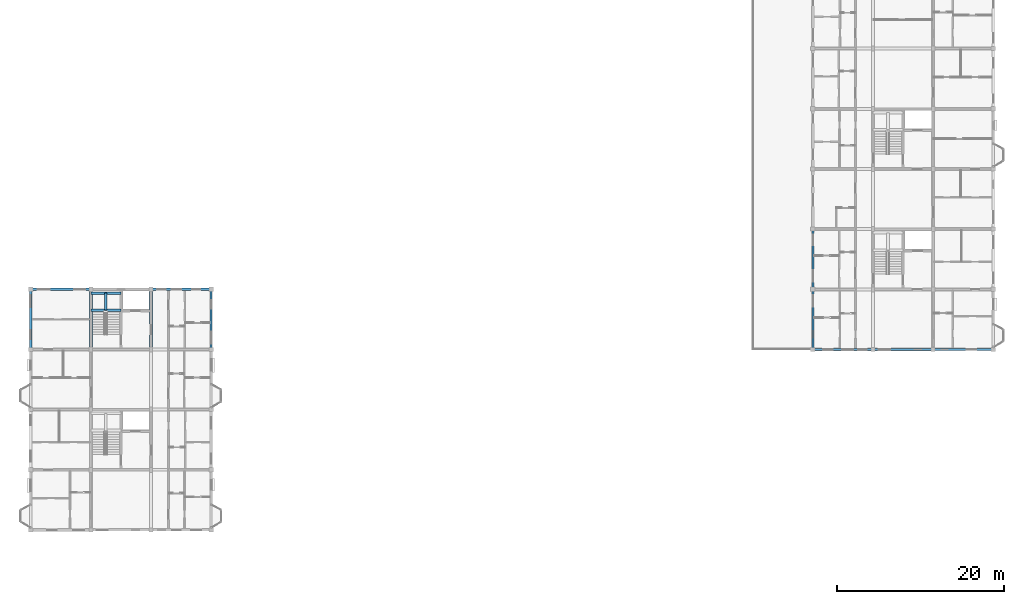
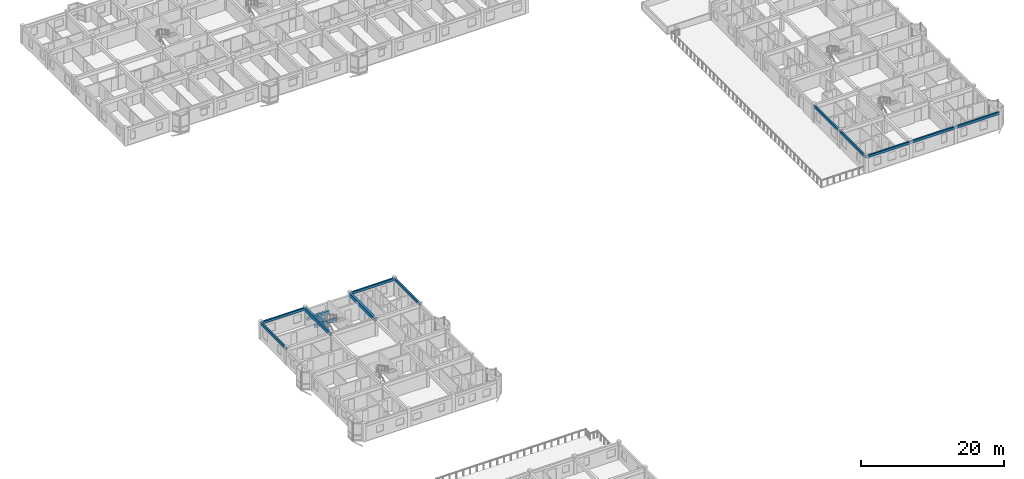
# One storey, part 21 of 70: 14 beams.
"""IFC4 building model written with IfcOpenShell, lengths in metres."""

from ifc_helpers import new_model, si_unit, direction, frame, origin, origin_2d, place, context, subcontext, project, spatial, rectangle, extrude, material, material_profile, profile_set, type_object, element, save


model = new_model("IFC4")

# Units and contexts
model_context = context("Model", 3, precision=1e-05, world=origin(), true_north=direction((0.0, 1.0)))
body_context = subcontext(model_context, "Body", "Model", "MODEL_VIEW")
ifc_project = project(units=[si_unit("LENGTHUNIT", "METRE"), si_unit("AREAUNIT", "SQUARE_METRE"), si_unit("VOLUMEUNIT", "CUBIC_METRE"), si_unit("PLANEANGLEUNIT", "RADIAN"), si_unit("MASSUNIT", "GRAM", prefix="KILO"), si_unit("THERMODYNAMICTEMPERATUREUNIT", "KELVIN"), si_unit("POWERUNIT", "WATT")], contexts=[model_context])

# Site, building, storey
site_placement = place(None, origin())
site = spatial("IfcSite", under=ifc_project, at=site_placement, CompositionType="ELEMENT")
building_placement = place(site_placement, origin())
building = spatial("IfcBuilding", under=site, at=building_placement, Name="Tavuni Mirador Residences", CompositionType="ELEMENT")
storey_placement = place(building_placement, frame((0.0, 0.0, 23.39990234375)))
storey = spatial("IfcBuildingStorey", under=building, at=storey_placement, Name="L07", CompositionType="ELEMENT", Elevation=23.39990234375)

# Beams
ifc_material = material(Name="Precast concrete C40/50", Category="concrete")
ifc_material_profile_1 = material_profile(ifc_material, rectangle(XDim=0.300048828125, YDim=0.5, at=origin_2d()), Name="PC 300x500", Category="concrete")
ifc_profile_set_1 = profile_set([ifc_material_profile_1], Name="Precast concrete C40/50")
beam_type_1 = type_object("IfcBeamType", Name="BT-B500", PredefinedType="BEAM", material=ifc_profile_set_1)
for number, where, z_axis, x_axis, name in (
    (1, (10.800048828125, 91.10009765625, 1.14501953125), (1.0, 0.0, 0.0), (0.0, 1.0, 0.0), "HLB1-C4-L07"),
    (2, (10.800048828125, 93.14990234375, 1.14501953125), (1.0, 0.0, 0.0), (0.0, 1.0, 0.0), "HLB2-C4-L07"),
):
    element("IfcBeam", number, at=place(storey_placement, frame(where, z_axis=z_axis, x_axis=x_axis)), inside=storey, type_object=beam_type_1, Name=name, PredefinedType="BEAM", context=body_context, shape_type="SweptSolid", body=[
        extrude(rectangle(XDim=0.300048828125, YDim=0.5, at=origin_2d()), origin(), (0.0, 0.0, 1.0), 3.599853515625),
    ])
beam_1_placement = place(storey_placement, frame((12.60009765625, 91.10009765625, 1.14501953125), z_axis=(0.0, 1.0, 0.0), x_axis=(-1.0, 0.0, 0.0)))
element("IfcBeam", 3, at=beam_1_placement, inside=storey, type_object=beam_type_1, Name="HLB3-C4-L07", PredefinedType="BEAM", context=body_context, shape_type="SweptSolid", body=[
    extrude(rectangle(XDim=0.300048828125, YDim=0.5, at=origin_2d()), origin(), (0.0, 0.0, 1.0), 2.0498046875),
])
ifc_material_profile_2 = material_profile(ifc_material, rectangle(XDim=0.35009765625, YDim=0.60009765625, at=origin_2d()), Name="PC 350x600", Category="concrete")
ifc_profile_set_2 = profile_set([ifc_material_profile_2], Name="Precast concrete C40/50")
beam_type_2 = type_object("IfcBeamType", Name="BT-B600", PredefinedType="BEAM", material=ifc_profile_set_2)
for number, where, z_axis, x_axis, name in (
    (4, (10.800048828125, 86.39990234375, 2.610107421875), (0.0, 1.0, 0.0), (-1.0, 0.0, 0.0), "BMY-BLK-B-L07-01-03"),
    (5, (18.0, 86.39990234375, 2.610107421875), (0.0, 1.0, 0.0), (-1.0, 0.0, 0.0), "BMY-BLK-B-L07-02-03"),
):
    element("IfcBeam", number, at=place(storey_placement, frame(where, z_axis=z_axis, x_axis=x_axis)), inside=storey, type_object=beam_type_2, Name=name, PredefinedType="BEAM", context=body_context, shape_type="SweptSolid", body=[
        extrude(rectangle(XDim=0.35009765625, YDim=0.60009765625, at=origin_2d()), origin(), (0.0, 0.0, 1.0), 7.2001953125),
    ])
ifc_material_profile_3 = material_profile(ifc_material, rectangle(XDim=0.25, YDim=0.419921875, at=origin_2d()), Name="PC 250x420", Category="concrete")
ifc_profile_set_3 = profile_set([ifc_material_profile_3], Name="Precast concrete C40/50")
beam_type_3 = type_object("IfcBeamType", Name="BT-SP420", PredefinedType="SPANDREL", material=ifc_profile_set_3)
for number, where, z_axis, x_axis, name in (
    (6, (3.60009765625, 93.60009765625, 2.7001953125), (1.0, 0.0, 0.0), (0.0, 1.0, 0.0), "BMX-BLK-B-L07-00-04"),
    (7, (18.0, 93.60009765625, 2.7001953125), (1.0, 0.0, 0.0), (0.0, 1.0, 0.0), "BMX-BLK-B-L07-02-04"),
):
    element("IfcBeam", number, at=place(storey_placement, frame(where, z_axis=z_axis, x_axis=x_axis)), inside=storey, type_object=beam_type_3, Name=name, PredefinedType="SPANDREL", context=body_context, shape_type="SweptSolid", body=[
        extrude(rectangle(XDim=0.25, YDim=0.419921875, at=origin_2d()), origin(), (0.0, 0.0, 1.0), 7.199951171875),
    ])
for number, where, z_axis, x_axis, name in (
    (8, (3.60009765625, 86.39990234375, 2.7001953125), (0.0, 1.0, 0.0), (-1.0, 0.0, 0.0), "BMY-BLK-B-L07-00-03"),
    (9, (25.199951171875, 86.39990234375, 2.7001953125), (0.0, 1.0, 0.0), (-1.0, 0.0, 0.0), "BMY-BLK-B-L07-03-03"),
):
    element("IfcBeam", number, at=place(storey_placement, frame(where, z_axis=z_axis, x_axis=x_axis)), inside=storey, type_object=beam_type_3, Name=name, PredefinedType="SPANDREL", context=body_context, shape_type="SweptSolid", body=[
        extrude(rectangle(XDim=0.25, YDim=0.419921875, at=origin_2d()), origin(), (0.0, 0.0, 1.0), 7.2001953125),
    ])
beam_2_placement = place(storey_placement, frame((97.199951171875, 86.39990234375, 2.68017578125), z_axis=(1.0, 0.0, 0.0), x_axis=(0.0, 1.0, 0.0)))
element("IfcBeam", 10, at=beam_2_placement, inside=storey, type_object=beam_type_3, Name="BMX-BLK-D-L07-00-00", PredefinedType="SPANDREL", context=body_context, shape_type="SweptSolid", body=[
    extrude(rectangle(XDim=0.25, YDim=0.419921875, at=origin_2d()), origin(), (0.0, 0.0, 1.0), 7.199951171875),
])
beam_3_placement = place(storey_placement, frame((104.39990234375, 86.39990234375, 2.68017578125), z_axis=(1.0, 0.0, 0.0), x_axis=(0.0, 1.0, 0.0)))
element("IfcBeam", 11, at=beam_3_placement, inside=storey, type_object=beam_type_3, Name="BMX-BLK-D-L07-01-00", PredefinedType="SPANDREL", context=body_context, shape_type="SweptSolid", body=[
    extrude(rectangle(XDim=0.25, YDim=0.419921875, at=origin_2d()), origin(), (0.0, 0.0, 1.0), 7.2001953125),
])
beam_4_placement = place(storey_placement, frame((111.60009765625, 86.39990234375, 2.68017578125), z_axis=(1.0, 0.0, 0.0), x_axis=(0.0, 1.0, 0.0)))
element("IfcBeam", 12, at=beam_4_placement, inside=storey, type_object=beam_type_3, Name="BMX-BLK-D-L07-02-00", PredefinedType="SPANDREL", context=body_context, shape_type="SweptSolid", body=[
    extrude(rectangle(XDim=0.25, YDim=0.419921875, at=origin_2d()), origin(), (0.0, 0.0, 1.0), 7.199951171875),
])
beam_5_placement = place(storey_placement, frame((97.199951171875, 86.39990234375, 2.68017578125), z_axis=(0.0, 1.0, 0.0), x_axis=(-1.0, 0.0, 0.0)))
element("IfcBeam", 13, at=beam_5_placement, inside=storey, type_object=beam_type_3, Name="BMY-BLK-D-L07-00-00", PredefinedType="SPANDREL", context=body_context, shape_type="SweptSolid", body=[
    extrude(rectangle(XDim=0.25, YDim=0.419921875, at=origin_2d()), origin(), (0.0, 0.0, 1.0), 7.2001953125),
])
beam_6_placement = place(storey_placement, frame((97.199951171875, 93.60009765625, 2.68017578125), z_axis=(0.0, 1.0, 0.0), x_axis=(-1.0, 0.0, 0.0)))
element("IfcBeam", 14, at=beam_6_placement, inside=storey, type_object=beam_type_3, Name="BMY-BLK-D-L07-00-01", PredefinedType="SPANDREL", context=body_context, shape_type="SweptSolid", body=[
    extrude(rectangle(XDim=0.25, YDim=0.419921875, at=origin_2d()), origin(), (0.0, 0.0, 1.0), 7.199951171875),
])

save(model, "model.ifc")
